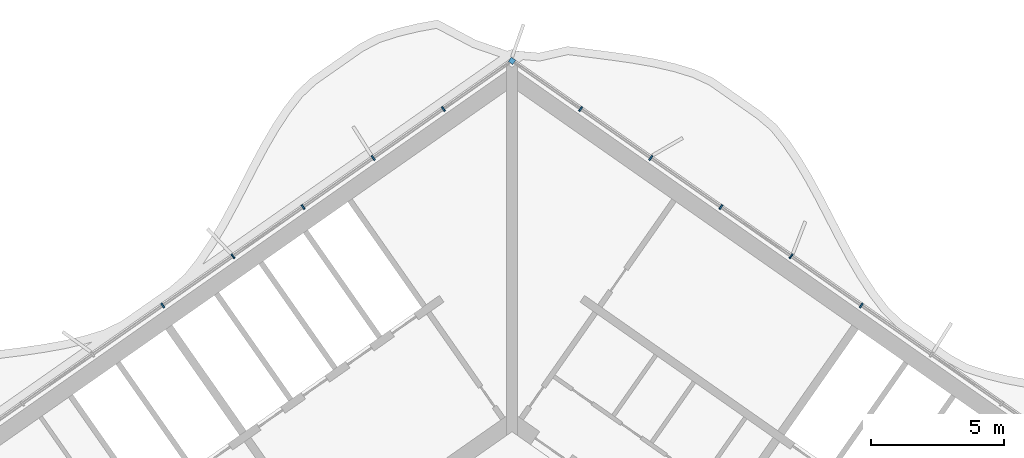
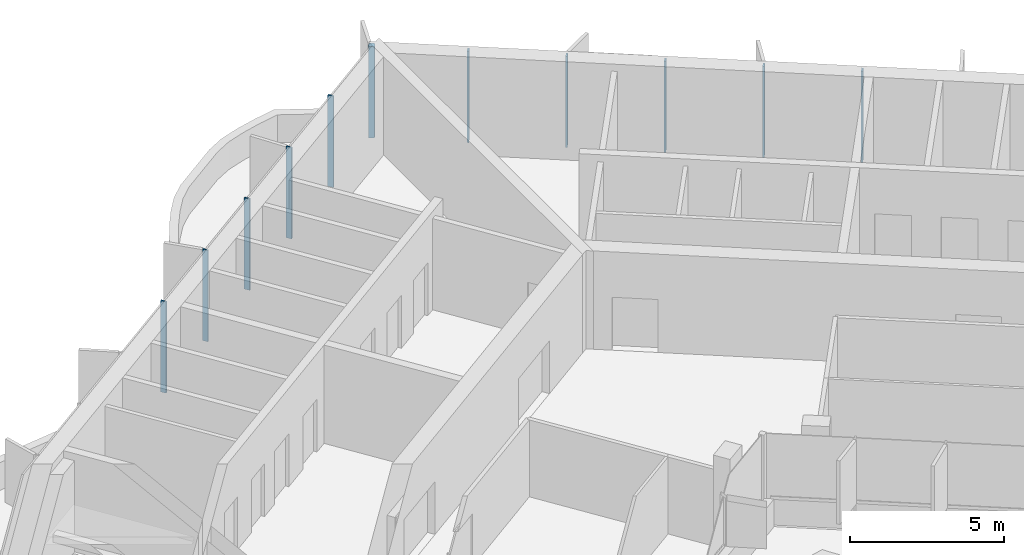
# One storey, part 6 of 17: 11 members, 1 element without a shape of its own.
"""IFC4 building model written with IfcOpenShell, lengths in metres."""

from ifc_helpers import new_model, si_unit, direction, frame, origin, origin_2d, place, context, subcontext, project, spatial, rectangle, extrude, material, material_profile, profile_set, type_object, element, aggregate, save


model = new_model("IFC4")

# Units and contexts
model_context = context("Model", 3, precision=1e-05, world=origin(), true_north=direction((0.0, 1.0)))
body_context = subcontext(model_context, "Body", "Model", "MODEL_VIEW")
ifc_project = project(units=[si_unit("LENGTHUNIT", "METRE"), si_unit("AREAUNIT", "SQUARE_METRE"), si_unit("VOLUMEUNIT", "CUBIC_METRE"), si_unit("PLANEANGLEUNIT", "RADIAN"), si_unit("MASSUNIT", "GRAM", prefix="KILO")], contexts=[model_context])

# Site, building, storey
site_placement = place(None, origin())
site = spatial("IfcSite", under=ifc_project, at=site_placement, CompositionType="ELEMENT")
building_placement = place(site_placement, origin())
building = spatial("IfcBuilding", under=site, at=building_placement, Name="Tel Ilan Convention Tower", CompositionType="ELEMENT")
storey_placement = place(building_placement, frame((0.0, 0.0, 287.800048828125)))
storey = spatial("IfcBuildingStorey", under=building, at=storey_placement, Name="L68", CompositionType="ELEMENT", Elevation=287.800048828125)

# Curtain wall, members
ifc_material_1 = material(Name="Aluminium, bronze anodised", Category="aluminium")
curtain_wall_type = type_object("IfcCurtainWallType", Name="CW2 STICK CURTAIN WALL, SPANDREL PANELS", PredefinedType="NOTDEFINED", material=ifc_material_1)
curtain_wall_placement = place(storey_placement, origin())
curtain_wall = element("IfcCurtainWall", 1, at=curtain_wall_placement, inside=storey, type_object=curtain_wall_type, Name="Curtain wall CW2-51.01", PredefinedType="NOTDEFINED")
ifc_material_2 = material(Name="Aluminium, bronze anodised", Category="aluminium")
ifc_material_profile_1 = material_profile(ifc_material_2, rectangle(XDim=0.199951171875, YDim=0.199951171875, at=origin_2d()), Name="CW CORNER MULLION 200x200")
ifc_profile_set_1 = profile_set([ifc_material_profile_1], Name="Aluminium, bronze anodised")
member_type_1 = type_object("IfcMemberType", Name="CW CORNER MULLION 200x200", PredefinedType="MULLION", material=ifc_profile_set_1)
member_1_placement = place(storey_placement, frame((0.0, 12.696044921875, 0.0), z_axis=(0.0, 0.0, 1.0), x_axis=(-0.819152044289, 0.573576436351, 0.0)))
member_1 = element("IfcMember", 2, at=member_1_placement, type_object=member_type_1, Name="Corner mullion", PredefinedType="MULLION", context=body_context, shape_type="SweptSolid", body=[
    extrude(rectangle(XDim=0.199951171875, YDim=0.199951171875, at=origin_2d()), origin(), (0.0, 0.0, 1.0), 3.619873046875),
])
ifc_material_3 = material(Name="Aluminium, bronze anodised", Category="aluminium")
ifc_material_profile_2 = material_profile(ifc_material_3, rectangle(XDim=0.06005859375, YDim=0.199951171875, at=origin_2d()), Name="CW MULLION 60x200")
ifc_profile_set_2 = profile_set([ifc_material_profile_2], Name="Aluminium, bronze anodised")
member_type_2 = type_object("IfcMemberType", Name="CW MULLION 60x200", PredefinedType="MULLION", material=ifc_profile_set_2)
member_2_placement = place(storey_placement, frame((13.105712890625, 3.519287109375, 0.0), z_axis=(0.0, 0.0, 1.0), x_axis=(-0.819152044289, 0.573576436351, 0.0)))
member_2 = element("IfcMember", 3, at=member_2_placement, type_object=member_type_2, Name="Mullion", PredefinedType="MULLION", context=body_context, shape_type="SweptSolid", body=[
    extrude(rectangle(XDim=0.06005859375, YDim=0.199951171875, at=origin_2d()), origin(), (0.0, 0.0, 1.0), 3.619873046875),
])
member_3_placement = place(storey_placement, frame((10.47314453125, 5.36279296875, 0.0), z_axis=(0.0, 0.0, 1.0), x_axis=(-0.819152044289, 0.573576436351, 0.0)))
member_3 = element("IfcMember", 4, at=member_3_placement, type_object=member_type_2, Name="Mullion", PredefinedType="MULLION", context=body_context, shape_type="SweptSolid", body=[
    extrude(rectangle(XDim=0.06005859375, YDim=0.199951171875, at=origin_2d()), origin(), (0.0, 0.0, 1.0), 3.619873046875),
])
member_4_placement = place(storey_placement, frame((7.840576171875, 7.2060546875, 0.0), z_axis=(0.0, 0.0, 1.0), x_axis=(-0.819152044289, 0.573576436351, 0.0)))
member_4 = element("IfcMember", 5, at=member_4_placement, type_object=member_type_2, Name="Mullion", PredefinedType="MULLION", context=body_context, shape_type="SweptSolid", body=[
    extrude(rectangle(XDim=0.06005859375, YDim=0.199951171875, at=origin_2d()), origin(), (0.0, 0.0, 1.0), 3.619873046875),
])
member_5_placement = place(storey_placement, frame((5.207763671875, 9.049560546875, 0.0), z_axis=(0.0, 0.0, 1.0), x_axis=(-0.819152044289, 0.573576436351, 0.0)))
member_5 = element("IfcMember", 6, at=member_5_placement, type_object=member_type_2, Name="Mullion", PredefinedType="MULLION", context=body_context, shape_type="SweptSolid", body=[
    extrude(rectangle(XDim=0.06005859375, YDim=0.199951171875, at=origin_2d()), origin(), (0.0, 0.0, 1.0), 3.619873046875),
])
member_6_placement = place(storey_placement, frame((2.5751953125, 10.892822265625, 0.0), z_axis=(0.0, 0.0, 1.0), x_axis=(-0.819152044289, 0.573576436351, 0.0)))
member_6 = element("IfcMember", 7, at=member_6_placement, type_object=member_type_2, Name="Mullion", PredefinedType="MULLION", context=body_context, shape_type="SweptSolid", body=[
    extrude(rectangle(XDim=0.06005859375, YDim=0.199951171875, at=origin_2d()), origin(), (0.0, 0.0, 1.0), 3.619873046875),
])
member_7_placement = place(storey_placement, frame((-2.5751953125, 10.892822265625, 0.0), z_axis=(0.0, 0.0, 1.0), x_axis=(-0.819152044289, -0.573576436351, 0.0)))
member_7 = element("IfcMember", 8, at=member_7_placement, type_object=member_type_2, Name="Mullion", PredefinedType="MULLION", context=body_context, shape_type="SweptSolid", body=[
    extrude(rectangle(XDim=0.06005859375, YDim=0.199951171875, at=origin_2d()), origin(), (0.0, 0.0, 1.0), 3.619873046875),
])
member_8_placement = place(storey_placement, frame((-5.207763671875, 9.049560546875, 0.0), z_axis=(0.0, 0.0, 1.0), x_axis=(-0.819152044289, -0.573576436351, 0.0)))
member_8 = element("IfcMember", 9, at=member_8_placement, type_object=member_type_2, Name="Mullion", PredefinedType="MULLION", context=body_context, shape_type="SweptSolid", body=[
    extrude(rectangle(XDim=0.06005859375, YDim=0.199951171875, at=origin_2d()), origin(), (0.0, 0.0, 1.0), 3.619873046875),
])
member_9_placement = place(storey_placement, frame((-7.840576171875, 7.2060546875, 0.0), z_axis=(0.0, 0.0, 1.0), x_axis=(-0.819152044289, -0.573576436351, 0.0)))
member_9 = element("IfcMember", 10, at=member_9_placement, type_object=member_type_2, Name="Mullion", PredefinedType="MULLION", context=body_context, shape_type="SweptSolid", body=[
    extrude(rectangle(XDim=0.06005859375, YDim=0.199951171875, at=origin_2d()), origin(), (0.0, 0.0, 1.0), 3.619873046875),
])
member_10_placement = place(storey_placement, frame((-10.47314453125, 5.36279296875, 0.0), z_axis=(0.0, 0.0, 1.0), x_axis=(-0.819152044289, -0.573576436351, 0.0)))
member_10 = element("IfcMember", 11, at=member_10_placement, type_object=member_type_2, Name="Mullion", PredefinedType="MULLION", context=body_context, shape_type="SweptSolid", body=[
    extrude(rectangle(XDim=0.06005859375, YDim=0.199951171875, at=origin_2d()), origin(), (0.0, 0.0, 1.0), 3.619873046875),
])
member_11_placement = place(storey_placement, frame((-13.105712890625, 3.519287109375, 0.0), z_axis=(0.0, 0.0, 1.0), x_axis=(-0.819152044289, -0.573576436351, 0.0)))
member_11 = element("IfcMember", 12, at=member_11_placement, type_object=member_type_2, Name="Mullion", PredefinedType="MULLION", context=body_context, shape_type="SweptSolid", body=[
    extrude(rectangle(XDim=0.06005859375, YDim=0.199951171875, at=origin_2d()), origin(), (0.0, 0.0, 1.0), 3.619873046875),
])
aggregate(curtain_wall, [member_2, member_3, member_4, member_5, member_6, member_1, member_7, member_8, member_9, member_10, member_11])

save(model, "model.ifc")
